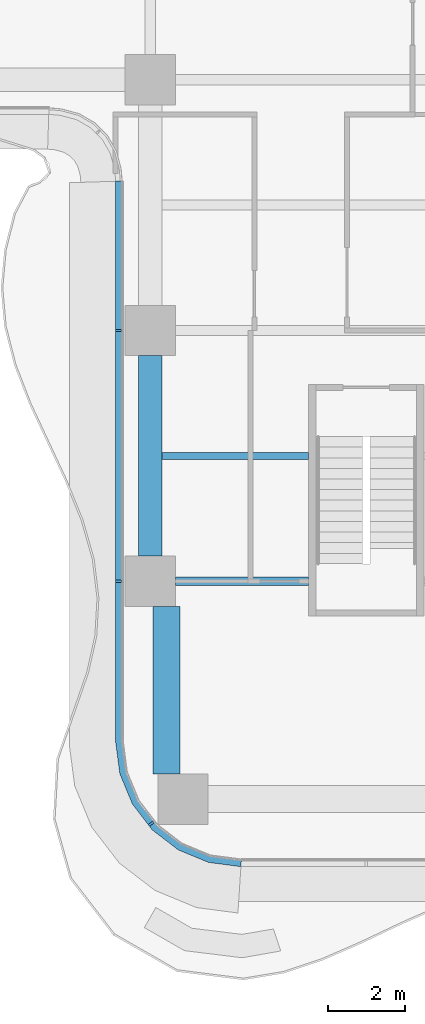
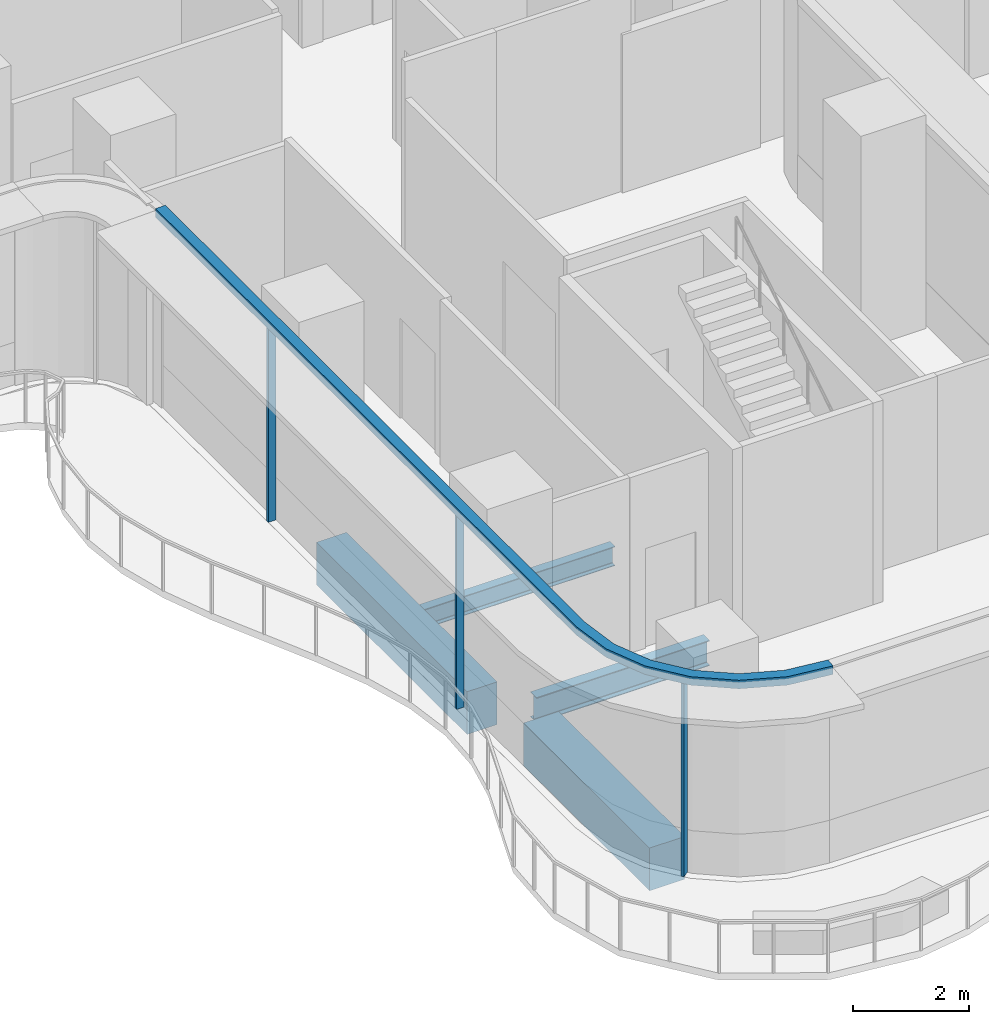
# One storey, part 2 of 20: 4 beams, 4 members, 1 element without a shape of its own.
"""IFC4 building model written with IfcOpenShell, lengths in metres."""

from ifc_helpers import new_model, si_unit, direction, frame, origin, origin_2d, place, context, subcontext, project, spatial, polyline, rectangle, i_section, outline, extrude, source, transform, mapped, material, layer, layer_set, material_profile, profile_set, type_object, element, aggregate, save


model = new_model("IFC4")

# Units and contexts
model_context = context("Model", 3, precision=1e-05, world=origin(), true_north=direction((0.0, 1.0)))
body_context = subcontext(model_context, "Body", "Model", "MODEL_VIEW")
ifc_project = project(units=[si_unit("LENGTHUNIT", "METRE"), si_unit("AREAUNIT", "SQUARE_METRE"), si_unit("VOLUMEUNIT", "CUBIC_METRE"), si_unit("PLANEANGLEUNIT", "RADIAN"), si_unit("MASSUNIT", "GRAM", prefix="KILO")], contexts=[model_context])

# Site, building, storey
site_placement = place(None, origin())
site = spatial("IfcSite", under=ifc_project, at=site_placement, CompositionType="ELEMENT")
building_placement = place(site_placement, origin())
building = spatial("IfcBuilding", under=site, at=building_placement, Name="Trellis Farm Tower", CompositionType="ELEMENT")
storey_placement = place(building_placement, frame((0.0, 0.0, 129.0)))
storey = spatial("IfcBuildingStorey", under=building, at=storey_placement, Name="L27", CompositionType="ELEMENT", Elevation=129.0)

# Beams
ifc_material_1 = material(Name="Steel S355", Category="steel")
ifc_material_profile_1 = material_profile(ifc_material_1, i_section(OverallWidth=0.177978515625, OverallDepth=0.406494140625, WebThickness=0.0078125, FlangeThickness=0.0126953125, FilletRadius=0.01025390625, at=origin_2d()), Name="UB 406x178x60")
ifc_profile_set_1 = profile_set([ifc_material_profile_1], Name="Steel S355")
beam_type_1 = type_object("IfcBeamType", Name="UB 406x178x60 joist", PredefinedType="JOIST", material=ifc_profile_set_1)
shared_shape_1 = source(origin(), body_context, "Body", "SweptSolid", [
    extrude(i_section(OverallWidth=0.177978515625, OverallDepth=0.406494140625, WebThickness=0.0078125, FlangeThickness=0.0126953125, FilletRadius=0.01025390625, at=origin_2d()), origin(), (0.0, 0.0, 1.0), 3.800048828125),
])
beam_1_placement = place(storey_placement, frame((-5.300048828125, -15.35009765625, -0.453125), z_axis=(1.0, 0.0, 0.0), x_axis=(0.0, 1.0, 0.0)))
element("IfcBeam", 1, at=beam_1_placement, inside=storey, type_object=beam_type_1, Name="Floor beam", PredefinedType="JOIST", context=body_context, shape_type="MappedRepresentation", body=[
    mapped(shared_shape_1, transform((0.0, 0.0, 0.0))),
])
ifc_material_profile_2 = material_profile(ifc_material_1, i_section(OverallWidth=0.209228515625, OverallDepth=0.533203125, WebThickness=0.010009765625, FlangeThickness=0.015625, FilletRadius=0.0126953125, at=origin_2d()), Name="UB 533x210x92")
ifc_profile_set_2 = profile_set([ifc_material_profile_2], Name="Steel S355")
beam_type_2 = type_object("IfcBeamType", Name="UB 533x210x92", PredefinedType="BEAM", material=ifc_profile_set_2)
shared_shape_2 = source(origin(), body_context, "Body", "SweptSolid", [
    extrude(i_section(OverallWidth=0.209228515625, OverallDepth=0.533203125, WebThickness=0.010009765625, FlangeThickness=0.015625, FilletRadius=0.0126953125, at=origin_2d()), origin(), (0.0, 0.0, 1.0), 3.449951171875),
])
beam_2_placement = place(storey_placement, frame((-4.949951171875, -18.60009765625, -0.5166015625), z_axis=(1.0, 0.0, 0.0), x_axis=(0.0, 1.0, 0.0)))
element("IfcBeam", 2, at=beam_2_placement, inside=storey, type_object=beam_type_2, Name="Girder", PredefinedType="BEAM", context=body_context, shape_type="MappedRepresentation", body=[
    mapped(shared_shape_2, transform((0.0, 0.0, 0.0))),
])
ifc_material_2 = material(Name="Concrete C60/75", Category="concrete")
ifc_material_profile_3 = material_profile(ifc_material_2, rectangle(XDim=0.60009765625, YDim=0.89990234375, at=origin_2d()), Name="RC spandrel beam 600x900 C60/75")
ifc_profile_set_3 = profile_set([ifc_material_profile_3], Name="Concrete C60/75")
beam_type_3 = type_object("IfcBeamType", Name="RC spandrel beam 600x900 C60/75", PredefinedType="SPANDREL", material=ifc_profile_set_3)
shared_shape_3 = source(origin(), body_context, "Body", "SweptSolid", [
    extrude(rectangle(XDim=0.60009765625, YDim=0.89990234375, at=origin_2d()), origin(), (0.0, 0.0, 1.0), 5.199951171875),
])
beam_3_placement = place(storey_placement, frame((-5.60009765625, -17.949951171875, -0.699951171875), z_axis=(0.0, 1.0, 0.0), x_axis=(-1.0, 0.0, 0.0)))
element("IfcBeam", 3, at=beam_3_placement, inside=storey, type_object=beam_type_3, Name="Girder", PredefinedType="SPANDREL", context=body_context, shape_type="MappedRepresentation", body=[
    mapped(shared_shape_3, transform((0.0, 0.0, 0.0))),
])
ifc_material_profile_4 = material_profile(ifc_material_2, rectangle(XDim=0.699951171875, YDim=0.89990234375, at=origin_2d()), Name="RC spandrel beam 700x900 C60/75")
ifc_profile_set_4 = profile_set([ifc_material_profile_4], Name="Concrete C60/75")
beam_type_4 = type_object("IfcBeamType", Name="RC spandrel beam 700x900 C60/75", PredefinedType="SPANDREL", material=ifc_profile_set_4)
shared_shape_4 = source(origin(), body_context, "Body", "SweptSolid", [
    extrude(rectangle(XDim=0.699951171875, YDim=0.89990234375, at=origin_2d()), origin(), (0.0, 0.0, 1.0), 4.35009765625),
])
beam_4_placement = place(storey_placement, frame((-5.175048828125, -23.60009765625, -0.699951171875), z_axis=(0.0, 1.0, 0.0), x_axis=(-1.0, 0.0, 0.0)))
element("IfcBeam", 4, at=beam_4_placement, inside=storey, type_object=beam_type_4, Name="Girder", PredefinedType="SPANDREL", context=body_context, shape_type="MappedRepresentation", body=[
    mapped(shared_shape_4, transform((0.0, 0.0, 0.0))),
])

# Curtain wall, members
ifc_material_3 = material(Name="Aluminium and glass curtain wall", Category="aluminium")
ifc_layer_1 = layer(ifc_material_3, 0.18994140625)
ifc_layer_set_1 = layer_set([ifc_layer_1], Name="RIBBON CURTAIN WALL CW1")
curtain_wall_type = type_object("IfcCurtainWallType", Name="RIBBON CURTAIN WALL CW1", PredefinedType="NOTDEFINED", material=ifc_layer_set_1)
curtain_wall_placement = place(storey_placement, origin())
curtain_wall = element("IfcCurtainWall", 5, at=curtain_wall_placement, inside=storey, type_object=curtain_wall_type, Name="CW1 002", PredefinedType="NOTDEFINED")
ifc_material_4 = material(Name="Aluminium extrusion 6063-T6", Category="aluminium")
ifc_material_profile_5 = material_profile(ifc_material_4, rectangle(XDim=0.06005859375, YDim=0.14990234375, at=origin_2d()), Name="MULLION 60x150")
ifc_profile_set_5 = profile_set([ifc_material_profile_5], Name="Aluminium extrusion 6063-T6")
member_type_1 = type_object("IfcMemberType", Name="CW1 MULLION 60x150", PredefinedType="MULLION", material=ifc_profile_set_5)
shared_shape_5 = source(origin(), body_context, "Body", "SweptSolid", [
    extrude(rectangle(XDim=0.06005859375, YDim=0.14990234375, at=origin_2d()), origin(), (0.0, 0.0, 1.0), 4.070068359375),
])
member_1_placement = place(storey_placement, frame((-6.425048828125, -12.10009765625, 0.0), z_axis=(0.0, 0.0, 1.0), x_axis=(0.0, -1.0, 0.0)))
member_1 = element("IfcMember", 6, at=member_1_placement, type_object=member_type_1, Name="MU1 002-01", PredefinedType="MULLION", context=body_context, shape_type="MappedRepresentation", body=[
    mapped(shared_shape_5, transform((0.0, 0.0, 0.0))),
])
member_2_placement = place(storey_placement, frame((-6.425048828125, -18.60009765625, 0.0), z_axis=(0.0, 0.0, 1.0), x_axis=(0.0, -1.0, 0.0)))
member_2 = element("IfcMember", 7, at=member_2_placement, type_object=member_type_1, Name="MU1 002-02", PredefinedType="MULLION", context=body_context, shape_type="MappedRepresentation", body=[
    mapped(shared_shape_5, transform((0.0, 0.0, 0.0))),
])
member_3_placement = place(storey_placement, frame((-5.578369140625, -24.885498046875, 0.0), z_axis=(0.0, 0.0, 1.0), x_axis=(0.608761429009, -0.793353340291, 0.0)))
member_3 = element("IfcMember", 8, at=member_3_placement, type_object=member_type_1, Name="MU1 002-03", PredefinedType="MULLION", context=body_context, shape_type="MappedRepresentation", body=[
    mapped(shared_shape_5, transform((0.0, 0.0, 0.0))),
])
ifc_layer_2 = layer(ifc_material_4, 0.199951171875)
ifc_layer_set_2 = layer_set([ifc_layer_2], Name="Aluminium extrusion 6063-T6")
member_type_2 = type_object("IfcMemberType", Name="CW1 TRANSOM 200x180", PredefinedType="USERDEFINED", material=ifc_layer_set_2)
shared_shape_6 = source(origin(), body_context, "Body", "SweptSolid", [
    extrude(outline(polyline([(-6.5, -8.2314453125), (-6.5, -22.75), (-6.38916015625, -23.591064453125), (-6.064697265625, -24.375), (-5.548095703125, -25.048095703125), (-4.875, -25.564697265625), (-4.091064453125, -25.88916015625), (-3.25, -26.0), (-3.23681640625, -25.800048828125), (-4.0390625, -25.6943359375), (-4.774169921875, -25.389892578125), (-5.405517578125, -24.905517578125), (-5.889892578125, -24.274169921875), (-6.1943359375, -23.5390625), (-6.300048828125, -22.73681640625), (-6.300048828125, -8.224853515625), (-6.5, -8.2314453125)])), origin(), (0.0, 0.0, 1.0), 0.179931640625),
])
member_4_placement = place(storey_placement, frame((0.0, 0.0, 4.070068359375)))
member_4 = element("IfcMember", 9, at=member_4_placement, type_object=member_type_2, Name="TR1 002", ObjectType="TRANSOM", PredefinedType="USERDEFINED", context=body_context, shape_type="MappedRepresentation", body=[
    mapped(shared_shape_6, transform((0.0, 0.0, 0.0))),
])
aggregate(curtain_wall, [member_1, member_2, member_3, member_4])

save(model, "model.ifc")
